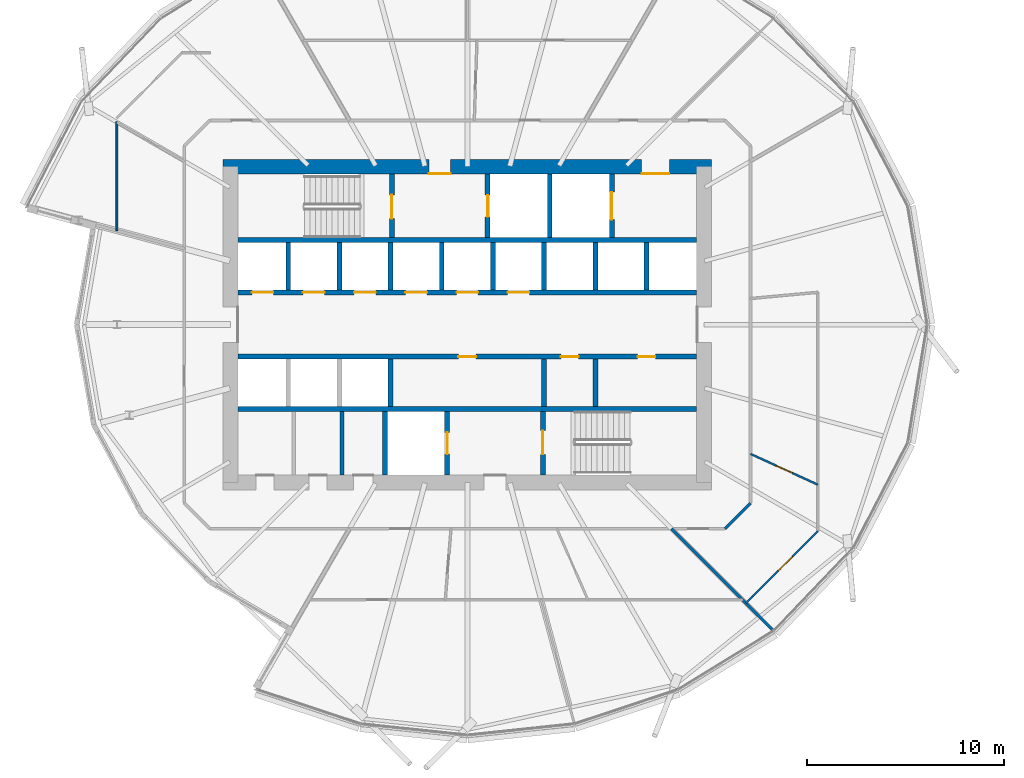
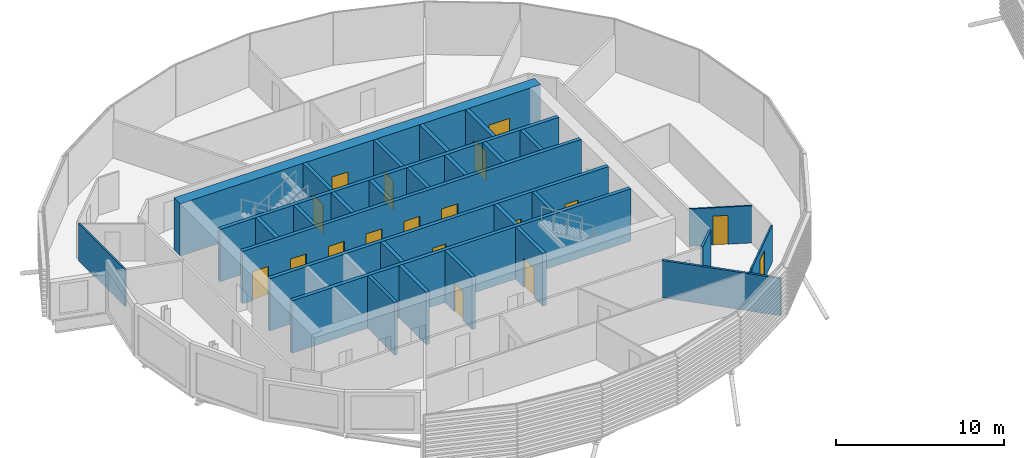
# One storey, part 22 of 39: 30 walls, 18 doors, 18 openings.
"""IFC4 building model written with IfcOpenShell, lengths in metres."""

from ifc_helpers import new_model, si_unit, direction, frame, frame_2d, origin, place, context, subcontext, project, spatial, rectangle, extrude, material, layer, layer_set, type_object, element, fill, save


model = new_model("IFC4")

# Units and contexts
model_context = context("Model", 3, precision=1e-05, world=origin(), true_north=direction((0.0, 1.0)))
body_context = subcontext(model_context, "Body", "Model", "MODEL_VIEW")
ifc_project = project(units=[si_unit("LENGTHUNIT", "METRE"), si_unit("AREAUNIT", "SQUARE_METRE"), si_unit("VOLUMEUNIT", "CUBIC_METRE"), si_unit("PLANEANGLEUNIT", "RADIAN"), si_unit("MASSUNIT", "GRAM", prefix="KILO")], contexts=[model_context])

# Site, building, storey
site_placement = place(None, origin())
site = spatial("IfcSite", under=ifc_project, at=site_placement, CompositionType="ELEMENT")
building_placement = place(site_placement, origin())
building = spatial("IfcBuilding", under=site, at=building_placement, Name="Rimbun Link Towers", CompositionType="ELEMENT")
storey_placement = place(building_placement, frame((0.0, 0.0, 112.0)))
storey = spatial("IfcBuildingStorey", under=building, at=storey_placement, Name="L27", CompositionType="ELEMENT", Elevation=112.0)

# Wall
ifc_material_1 = material(Name="Masonry blockwork", Category="masonry")
ifc_layer_1 = layer(ifc_material_1, 0.199951171875)
ifc_layer_set_1 = layer_set([ifc_layer_1], Name="Core partition 200")
wall_type_1 = type_object("IfcWallType", Name="Core partition 200", PredefinedType="PARTITIONING", material=ifc_layer_set_1)
wall_1_placement = place(storey_placement, frame((-38.10009765625, -4.39990234375, 0.0), z_axis=(0.0, 0.0, 1.0), x_axis=(0.0, -1.0, 0.0)))
element("IfcWall", 1, at=wall_1_placement, inside=storey, type_object=wall_type_1, Name="L27 T1 core wall C2", PredefinedType="PARTITIONING", context=body_context, shape_type="SweptSolid", body=[
    extrude(rectangle(XDim=3.22509765625, YDim=0.199951171875, at=frame_2d((1.612548828125, 0.0))), origin(), (0.0, 0.0, 1.0), 3.800048828125),
])

# Wall, openings, doors
ifc_material_2 = material(Name="Concrete C60/75", Category="concrete")
ifc_layer_2 = layer(ifc_material_2, 0.75)
ifc_layer_set_2 = layer_set([ifc_layer_2], Name="Core shear wall 750")
wall_type_2 = type_object("IfcWallType", Name="Core shear wall 750", PredefinedType="SHEAR", material=ifc_layer_set_2)
wall_2_placement = place(storey_placement, frame((-44.125, 8.0, 0.0), z_axis=(0.0, 0.0, 1.0), x_axis=(1.0, 0.0, 0.0)))
wall_2 = element("IfcWall", 2, at=wall_2_placement, inside=storey, type_object=wall_type_2, Name="L27 T1 core wall N", PredefinedType="SHEAR", context=body_context, shape_type="SweptSolid", body=[
    extrude(rectangle(XDim=24.75, YDim=0.75, at=frame_2d((12.375, 0.0))), origin(), (0.0, 0.0, 1.0), 3.800048828125),
])
opening_1_placement = place(wall_2_placement, frame((10.425048828125, 0.0, 0.0)))
opening_1 = element("IfcOpeningElement", 3, at=opening_1_placement, cuts=wall_2, Name="Opening C1DCF01N", PredefinedType="OPENING", context=body_context, shape_type="SweptSolid", body=[
    extrude(rectangle(XDim=1.10009765625, YDim=2.10009765625, at=frame_2d((0.550048828125, 1.050048828125))), frame((0.0, 0.385009765625, 0.0), z_axis=(0.0, -1.0, 0.0), x_axis=(1.0, 0.0, 0.0)), (0.0, 0.0, 1.0), 0.77001953125),
])
opening_2_placement = place(wall_2_placement, frame((21.21240234375, 0.0, 0.0)))
opening_2 = element("IfcOpeningElement", 4, at=opening_2_placement, cuts=wall_2, Name="Opening C1DSL02N", PredefinedType="OPENING", context=body_context, shape_type="SweptSolid", body=[
    extrude(rectangle(XDim=1.39990234375, YDim=2.10009765625, at=frame_2d((0.699951171875, 1.050048828125))), frame((0.0, 0.385009765625, 0.0), z_axis=(0.0, -1.0, 0.0), x_axis=(1.0, 0.0, 0.0)), (0.0, 0.0, 1.0), 0.77001953125),
])
ifc_material_3 = material(Name="Steel fire door set", Category="steel")
door_type_1 = type_object("IfcDoorType", Name="Core fire door single", OperationType="SINGLE_SWING_LEFT", PredefinedType="DOOR", material=ifc_material_3)
door_1_placement = place(opening_1_placement, origin())
door_1 = element("IfcDoor", 5, at=door_1_placement, inside=storey, type_object=door_type_1, Name="L27 T1 firefighting lobby n door", OperationType="SINGLE_SWING_LEFT", OverallHeight=2.10009765625, OverallWidth=1.10009765625, PredefinedType="DOOR", context=body_context, shape_type="SweptSolid", body=[
    extrude(rectangle(XDim=1.10009765625, YDim=2.10009765625, at=frame_2d((0.550048828125, 1.050048828125))), frame((0.0, -0.3251953125, 0.0), z_axis=(0.0, -1.0, 0.0), x_axis=(1.0, 0.0, 0.0)), (0.0, 0.0, 1.0), 0.050048828125),
])
fill(opening_1, door_1)
ifc_material_4 = material(Name="Steel fire door set", Category="steel")
door_type_2 = type_object("IfcDoorType", Name="Service lobby door double", OperationType="DOUBLE_DOOR_SINGLE_SWING", PredefinedType="DOOR", material=ifc_material_4)
door_2_placement = place(opening_2_placement, origin())
door_2 = element("IfcDoor", 6, at=door_2_placement, inside=storey, type_object=door_type_2, Name="L27 T1 service lobby door", OperationType="DOUBLE_DOOR_SINGLE_SWING", OverallHeight=2.10009765625, OverallWidth=1.39990234375, PredefinedType="DOOR", context=body_context, shape_type="SweptSolid", body=[
    extrude(rectangle(XDim=1.39990234375, YDim=2.10009765625, at=frame_2d((0.699951171875, 1.050048828125))), frame((0.0, -0.3251953125, 0.0), z_axis=(0.0, -1.0, 0.0), x_axis=(1.0, 0.0, 0.0)), (0.0, 0.0, 1.0), 0.050048828125),
])
fill(opening_2, door_2)

# Wall
ifc_material_5 = material(Name="Plasterboard on steel stud, mineral wool", Category="steel")
ifc_layer_3 = layer(ifc_material_5, 0.14990234375)
ifc_layer_set_3 = layer_set([ifc_layer_3], Name="Corridor wall EI 30 150 mm")
wall_type_3 = type_object("IfcWallType", Name="Corridor wall EI 30 150 mm", PredefinedType="PARTITIONING", material=ifc_layer_set_3)
wall_3_placement = place(storey_placement, frame((-18.6982421875, -10.35009765625, 0.0), z_axis=(0.0, 0.0, 1.0), x_axis=(0.707106781187, 0.707106781187, 0.0)))
element("IfcWall", 7, at=wall_3_placement, inside=storey, type_object=wall_type_3, Name="Corridor wall EI 30 150 mm", PredefinedType="PARTITIONING", context=body_context, shape_type="SweptSolid", body=[
    extrude(rectangle(XDim=1.836181640625, YDim=0.14990234375, at=frame_2d((0.91796875, 0.0))), origin(), (0.0, 0.0, 1.0), 2.701904296875),
])

# Wall, opening, door
ifc_material_6 = material(Name="Plasterboard on steel stud", Category="steel")
ifc_layer_4 = layer(ifc_material_6, 0.10009765625)
ifc_layer_set_4 = layer_set([ifc_layer_4], Name="Plasterboard partition 100 mm")
wall_type_4 = type_object("IfcWallType", Name="Plasterboard partition 100 mm", PredefinedType="PARTITIONING", material=ifc_layer_set_4)
wall_4_placement = place(storey_placement, frame((-17.39990234375, -6.555908203125, 0.0), z_axis=(0.0, 0.0, 1.0), x_axis=(0.909564245238, -0.415563333061, 0.0)))
wall_4 = element("IfcWall", 8, at=wall_4_placement, inside=storey, type_object=wall_type_4, Name="Plasterboard partition 100 mm", PredefinedType="PARTITIONING", context=body_context, shape_type="SweptSolid", body=[
    extrude(rectangle(XDim=3.760009765625, YDim=0.10009765625, at=frame_2d((1.8798828125, 0.0))), origin(), (0.0, 0.0, 1.0), 2.701904296875),
])
opening_3_placement = place(wall_4_placement, frame((1.429931640625, 0.0, 0.0)))
opening_3 = element("IfcOpeningElement", 9, at=opening_3_placement, cuts=wall_4, Name="Opening D04", PredefinedType="OPENING", context=body_context, shape_type="SweptSolid", body=[
    extrude(rectangle(XDim=0.89990234375, YDim=2.10009765625, at=frame_2d((0.449951171875, 1.050048828125))), frame((0.0, 0.06005859375, 0.0), z_axis=(0.0, -1.0, 0.0), x_axis=(1.0, 0.0, 0.0)), (0.0, 0.0, 1.0), 0.1201171875),
])
ifc_material_7 = material(Name="Timber door leaf", Category="wood")
door_type_3 = type_object("IfcDoorType", Name="Flush door 900", OperationType="NOTDEFINED", PredefinedType="DOOR", material=ifc_material_7)
door_3_placement = place(opening_3_placement, origin())
door_3 = element("IfcDoor", 10, at=door_3_placement, inside=storey, type_object=door_type_3, Name="Flush door 900 to Meeting room", OperationType="SINGLE_SWING_LEFT", OverallHeight=2.10009765625, OverallWidth=0.89990234375, PredefinedType="DOOR", context=body_context, shape_type="SweptSolid", body=[
    extrude(rectangle(XDim=0.89990234375, YDim=2.10009765625, at=frame_2d((0.449951171875, 1.050048828125))), frame((0.0, 0.02490234375, 0.0), z_axis=(0.0, -1.0, 0.0), x_axis=(1.0, 0.0, 0.0)), (0.0, 0.0, 1.0), 0.050048828125),
])
fill(opening_3, door_3)

wall_5_placement = place(storey_placement, frame((-13.97998046875, -10.46826171875, 0.0), z_axis=(0.0, 0.0, 1.0), x_axis=(-0.707106781187, -0.707106781187, 0.0)))
wall_5 = element("IfcWall", 11, at=wall_5_placement, inside=storey, type_object=wall_type_4, Name="Plasterboard partition 100 mm", PredefinedType="PARTITIONING", context=body_context, shape_type="SweptSolid", body=[
    extrude(rectangle(XDim=4.66943359375, YDim=0.10009765625, at=frame_2d((2.334716796875, 0.0))), origin(), (0.0, 0.0, 1.0), 2.701904296875),
])
opening_4_placement = place(wall_5_placement, frame((1.834716796875, 0.0, 0.0)))
opening_4 = element("IfcOpeningElement", 12, at=opening_4_placement, cuts=wall_5, Name="Opening D03", PredefinedType="OPENING", context=body_context, shape_type="SweptSolid", body=[
    extrude(rectangle(XDim=1.0, YDim=2.10009765625, at=frame_2d((0.5, 1.050048828125))), frame((0.0, 0.06005859375, 0.0), z_axis=(0.0, -1.0, 0.0), x_axis=(1.0, 0.0, 0.0)), (0.0, 0.0, 1.0), 0.1201171875),
])
ifc_material_8 = material(Name="Timber door leaf", Category="wood")
door_type_4 = type_object("IfcDoorType", Name="Flush door 1000", OperationType="NOTDEFINED", PredefinedType="DOOR", material=ifc_material_8)
door_4_placement = place(opening_4_placement, origin())
door_4 = element("IfcDoor", 13, at=door_4_placement, inside=storey, type_object=door_type_4, Name="Flush door 1000 to Open office", OperationType="SINGLE_SWING_RIGHT", OverallHeight=2.10009765625, OverallWidth=1.0, PredefinedType="DOOR", context=body_context, shape_type="SweptSolid", body=[
    extrude(rectangle(XDim=1.0, YDim=2.10009765625, at=frame_2d((0.5, 1.050048828125))), frame((0.0, 0.02490234375, 0.0), z_axis=(0.0, -1.0, 0.0), x_axis=(1.0, 0.0, 0.0)), (0.0, 0.0, 1.0), 0.050048828125),
])
fill(opening_4, door_4)

# Walls
wall_6_placement = place(storey_placement, frame((-17.630859375, -14.119140625, 0.0), z_axis=(0.0, 0.0, 1.0), x_axis=(0.707106781187, 0.707106781187, 0.0)))
element("IfcWall", 14, at=wall_6_placement, inside=storey, type_object=wall_type_4, Name="Plasterboard partition 100 mm", PredefinedType="PARTITIONING", context=body_context, shape_type="SweptSolid", body=[
    extrude(rectangle(XDim=0.49365234375, YDim=0.10009765625, at=frame_2d((0.246826171875, 0.0))), origin(), (0.0, 0.0, 1.0), 2.701904296875),
])
wall_7_placement = place(storey_placement, frame((-49.52001953125, 10.2705078125, 0.0), z_axis=(0.0, 0.0, 1.0), x_axis=(0.0, -1.0, 0.0)))
element("IfcWall", 15, at=wall_7_placement, inside=storey, type_object=wall_type_4, Name="Plasterboard partition 100 mm", PredefinedType="PARTITIONING", context=body_context, shape_type="SweptSolid", body=[
    extrude(rectangle(XDim=5.509033203125, YDim=0.10009765625, at=frame_2d((2.75439453125, 0.0))), origin(), (0.0, 0.0, 1.0), 2.701904296875),
])
ifc_material_9 = material(Name="Concrete C60/75", Category="concrete")
ifc_layer_5 = layer(ifc_material_9, 0.25)
ifc_layer_set_5 = layer_set([ifc_layer_5], Name="Shaft wall 250")
wall_type_5 = type_object("IfcWallType", Name="Shaft wall 250", PredefinedType="SHEAR", material=ifc_layer_set_5)
for number, where, z_axis, x_axis, name in (
    (16, (-43.375, 4.27490234375, 0.0), (0.0, 0.0, 1.0), (1.0, 0.0, 0.0), "L27 T1 core wall BN"),
    (17, (-43.375, -4.27490234375, 0.0), (0.0, 0.0, 1.0), (1.0, 0.0, 0.0), "L27 T1 core wall BS"),
):
    element("IfcWall", number, at=place(storey_placement, frame(where, z_axis=z_axis, x_axis=x_axis)), inside=storey, type_object=wall_type_5, Name=name, PredefinedType="SHEAR", context=body_context, shape_type="SweptSolid", body=[
        extrude(rectangle(XDim=23.25, YDim=0.25, at=frame_2d((11.625, 0.0))), origin(), (0.0, 0.0, 1.0), 3.800048828125),
    ])

# Wall, openings, doors
wall_8_placement = place(storey_placement, frame((-43.375, 1.625, 0.0), z_axis=(0.0, 0.0, 1.0), x_axis=(1.0, 0.0, 0.0)))
wall_8 = element("IfcWall", 18, at=wall_8_placement, inside=storey, type_object=wall_type_5, Name="L27 T1 core wall FN", PredefinedType="SHEAR", context=body_context, shape_type="SweptSolid", body=[
    extrude(rectangle(XDim=23.25, YDim=0.25, at=frame_2d((11.625, 0.0))), origin(), (0.0, 0.0, 1.0), 3.800048828125),
])
opening_5_placement = place(wall_8_placement, frame((0.697265625, 0.0, 0.0)))
opening_5 = element("IfcOpeningElement", 19, at=opening_5_placement, cuts=wall_8, Name="Opening LD-T1-LR1", PredefinedType="OPENING", context=body_context, shape_type="SweptSolid", body=[
    extrude(rectangle(XDim=1.10009765625, YDim=2.10009765625, at=frame_2d((0.550048828125, 1.050048828125))), frame((0.0, 0.135009765625, 0.0), z_axis=(0.0, -1.0, 0.0), x_axis=(1.0, 0.0, 0.0)), (0.0, 0.0, 1.0), 0.27001953125),
])
opening_6_placement = place(wall_8_placement, frame((3.291748046875, 0.0, 0.0)))
opening_6 = element("IfcOpeningElement", 20, at=opening_6_placement, cuts=wall_8, Name="Opening LD-T1-LR2", PredefinedType="OPENING", context=body_context, shape_type="SweptSolid", body=[
    extrude(rectangle(XDim=1.10009765625, YDim=2.10009765625, at=frame_2d((0.550048828125, 1.050048828125))), frame((0.0, 0.135009765625, 0.0), z_axis=(0.0, -1.0, 0.0), x_axis=(1.0, 0.0, 0.0)), (0.0, 0.0, 1.0), 0.27001953125),
])
opening_7_placement = place(wall_8_placement, frame((5.885986328125, 0.0, 0.0)))
opening_7 = element("IfcOpeningElement", 21, at=opening_7_placement, cuts=wall_8, Name="Opening LD-T1-LR3", PredefinedType="OPENING", context=body_context, shape_type="SweptSolid", body=[
    extrude(rectangle(XDim=1.10009765625, YDim=2.10009765625, at=frame_2d((0.550048828125, 1.050048828125))), frame((0.0, 0.135009765625, 0.0), z_axis=(0.0, -1.0, 0.0), x_axis=(1.0, 0.0, 0.0)), (0.0, 0.0, 1.0), 0.27001953125),
])
opening_8_placement = place(wall_8_placement, frame((8.480712890625, 0.0, 0.0)))
opening_8 = element("IfcOpeningElement", 22, at=opening_8_placement, cuts=wall_8, Name="Opening LD-T1-LR4", PredefinedType="OPENING", context=body_context, shape_type="SweptSolid", body=[
    extrude(rectangle(XDim=1.10009765625, YDim=2.10009765625, at=frame_2d((0.550048828125, 1.050048828125))), frame((0.0, 0.135009765625, 0.0), z_axis=(0.0, -1.0, 0.0), x_axis=(1.0, 0.0, 0.0)), (0.0, 0.0, 1.0), 0.27001953125),
])
opening_9_placement = place(wall_8_placement, frame((11.074951171875, 0.0, 0.0)))
opening_9 = element("IfcOpeningElement", 23, at=opening_9_placement, cuts=wall_8, Name="Opening LD-T1-LR5", PredefinedType="OPENING", context=body_context, shape_type="SweptSolid", body=[
    extrude(rectangle(XDim=1.10009765625, YDim=2.10009765625, at=frame_2d((0.550048828125, 1.050048828125))), frame((0.0, 0.135009765625, 0.0), z_axis=(0.0, -1.0, 0.0), x_axis=(1.0, 0.0, 0.0)), (0.0, 0.0, 1.0), 0.27001953125),
])
opening_10_placement = place(wall_8_placement, frame((13.66943359375, 0.0, 0.0)))
opening_10 = element("IfcOpeningElement", 24, at=opening_10_placement, cuts=wall_8, Name="Opening LD-T1-LR6", PredefinedType="OPENING", context=body_context, shape_type="SweptSolid", body=[
    extrude(rectangle(XDim=1.10009765625, YDim=2.10009765625, at=frame_2d((0.550048828125, 1.050048828125))), frame((0.0, 0.135009765625, 0.0), z_axis=(0.0, -1.0, 0.0), x_axis=(1.0, 0.0, 0.0)), (0.0, 0.0, 1.0), 0.27001953125),
])
ifc_material_10 = material(Name="Stainless steel grade 316", Category="steel")
door_type_5 = type_object("IfcDoorType", Name="Lift landing door", OperationType="DOUBLE_DOOR_SLIDING", PredefinedType="DOOR", material=ifc_material_10)
door_5_placement = place(opening_5_placement, origin())
door_5 = element("IfcDoor", 25, at=door_5_placement, inside=storey, type_object=door_type_5, Name="L27 T1 lift LR1 landing door", OperationType="DOUBLE_DOOR_SLIDING", OverallHeight=2.10009765625, OverallWidth=1.10009765625, PredefinedType="DOOR", context=body_context, shape_type="SweptSolid", body=[
    extrude(rectangle(XDim=1.10009765625, YDim=2.10009765625, at=frame_2d((0.550048828125, 1.050048828125))), frame((0.0, 0.02490234375, 0.0), z_axis=(0.0, -1.0, 0.0), x_axis=(1.0, 0.0, 0.0)), (0.0, 0.0, 1.0), 0.050048828125),
])
fill(opening_5, door_5)
door_6_placement = place(opening_6_placement, origin())
door_6 = element("IfcDoor", 26, at=door_6_placement, inside=storey, type_object=door_type_5, Name="L27 T1 lift LR2 landing door", OperationType="DOUBLE_DOOR_SLIDING", OverallHeight=2.10009765625, OverallWidth=1.10009765625, PredefinedType="DOOR", context=body_context, shape_type="SweptSolid", body=[
    extrude(rectangle(XDim=1.10009765625, YDim=2.10009765625, at=frame_2d((0.550048828125, 1.050048828125))), frame((0.0, 0.02490234375, 0.0), z_axis=(0.0, -1.0, 0.0), x_axis=(1.0, 0.0, 0.0)), (0.0, 0.0, 1.0), 0.050048828125),
])
fill(opening_6, door_6)
door_7_placement = place(opening_7_placement, origin())
door_7 = element("IfcDoor", 27, at=door_7_placement, inside=storey, type_object=door_type_5, Name="L27 T1 lift LR3 landing door", OperationType="DOUBLE_DOOR_SLIDING", OverallHeight=2.10009765625, OverallWidth=1.10009765625, PredefinedType="DOOR", context=body_context, shape_type="SweptSolid", body=[
    extrude(rectangle(XDim=1.10009765625, YDim=2.10009765625, at=frame_2d((0.550048828125, 1.050048828125))), frame((0.0, 0.02490234375, 0.0), z_axis=(0.0, -1.0, 0.0), x_axis=(1.0, 0.0, 0.0)), (0.0, 0.0, 1.0), 0.050048828125),
])
fill(opening_7, door_7)
door_8_placement = place(opening_8_placement, origin())
door_8 = element("IfcDoor", 28, at=door_8_placement, inside=storey, type_object=door_type_5, Name="L27 T1 lift LR4 landing door", OperationType="DOUBLE_DOOR_SLIDING", OverallHeight=2.10009765625, OverallWidth=1.10009765625, PredefinedType="DOOR", context=body_context, shape_type="SweptSolid", body=[
    extrude(rectangle(XDim=1.10009765625, YDim=2.10009765625, at=frame_2d((0.550048828125, 1.050048828125))), frame((0.0, 0.02490234375, 0.0), z_axis=(0.0, -1.0, 0.0), x_axis=(1.0, 0.0, 0.0)), (0.0, 0.0, 1.0), 0.050048828125),
])
fill(opening_8, door_8)
door_9_placement = place(opening_9_placement, origin())
door_9 = element("IfcDoor", 29, at=door_9_placement, inside=storey, type_object=door_type_5, Name="L27 T1 lift LR5 landing door", OperationType="DOUBLE_DOOR_SLIDING", OverallHeight=2.10009765625, OverallWidth=1.10009765625, PredefinedType="DOOR", context=body_context, shape_type="SweptSolid", body=[
    extrude(rectangle(XDim=1.10009765625, YDim=2.10009765625, at=frame_2d((0.550048828125, 1.050048828125))), frame((0.0, 0.02490234375, 0.0), z_axis=(0.0, -1.0, 0.0), x_axis=(1.0, 0.0, 0.0)), (0.0, 0.0, 1.0), 0.050048828125),
])
fill(opening_9, door_9)
door_10_placement = place(opening_10_placement, origin())
door_10 = element("IfcDoor", 30, at=door_10_placement, inside=storey, type_object=door_type_5, Name="L27 T1 lift LR6 landing door", OperationType="DOUBLE_DOOR_SLIDING", OverallHeight=2.10009765625, OverallWidth=1.10009765625, PredefinedType="DOOR", context=body_context, shape_type="SweptSolid", body=[
    extrude(rectangle(XDim=1.10009765625, YDim=2.10009765625, at=frame_2d((0.550048828125, 1.050048828125))), frame((0.0, 0.02490234375, 0.0), z_axis=(0.0, -1.0, 0.0), x_axis=(1.0, 0.0, 0.0)), (0.0, 0.0, 1.0), 0.050048828125),
])
fill(opening_10, door_10)

wall_9_placement = place(storey_placement, frame((-43.375, -1.625, 0.0), z_axis=(0.0, 0.0, 1.0), x_axis=(1.0, 0.0, 0.0)))
wall_9 = element("IfcWall", 31, at=wall_9_placement, inside=storey, type_object=wall_type_5, Name="L27 T1 core wall FS", PredefinedType="SHEAR", context=body_context, shape_type="SweptSolid", body=[
    extrude(rectangle(XDim=23.25, YDim=0.25, at=frame_2d((11.625, 0.0))), origin(), (0.0, 0.0, 1.0), 3.800048828125),
])
opening_11_placement = place(wall_9_placement, frame((11.175048828125, 0.0, 0.0)))
opening_11 = element("IfcOpeningElement", 32, at=opening_11_placement, cuts=wall_9, Name="Opening C1DRS01FS", PredefinedType="OPENING", context=body_context, shape_type="SweptSolid", body=[
    extrude(rectangle(XDim=0.89990234375, YDim=2.10009765625, at=frame_2d((0.449951171875, 1.050048828125))), frame((0.0, 0.135009765625, 0.0), z_axis=(0.0, -1.0, 0.0), x_axis=(1.0, 0.0, 0.0)), (0.0, 0.0, 1.0), 0.27001953125),
])
opening_12_placement = place(wall_9_placement, frame((16.364013671875, 0.0, 0.0)))
opening_12 = element("IfcOpeningElement", 33, at=opening_12_placement, cuts=wall_9, Name="Opening C1DRS02FS", PredefinedType="OPENING", context=body_context, shape_type="SweptSolid", body=[
    extrude(rectangle(XDim=0.89990234375, YDim=2.10009765625, at=frame_2d((0.449951171875, 1.050048828125))), frame((0.0, 0.135009765625, 0.0), z_axis=(0.0, -1.0, 0.0), x_axis=(1.0, 0.0, 0.0)), (0.0, 0.0, 1.0), 0.27001953125),
])
opening_13_placement = place(wall_9_placement, frame((20.255615234375, 0.0, 0.0)))
opening_13 = element("IfcOpeningElement", 34, at=opening_13_placement, cuts=wall_9, Name="Opening C1DRS03FS", PredefinedType="OPENING", context=body_context, shape_type="SweptSolid", body=[
    extrude(rectangle(XDim=0.89990234375, YDim=2.10009765625, at=frame_2d((0.449951171875, 1.050048828125))), frame((0.0, 0.135009765625, 0.0), z_axis=(0.0, -1.0, 0.0), x_axis=(1.0, 0.0, 0.0)), (0.0, 0.0, 1.0), 0.27001953125),
])
ifc_material_11 = material(Name="Steel fire door set", Category="steel")
door_type_6 = type_object("IfcDoorType", Name="Core riser door", OperationType="SINGLE_SWING_LEFT", PredefinedType="DOOR", material=ifc_material_11)
door_11_placement = place(opening_11_placement, origin())
door_11 = element("IfcDoor", 35, at=door_11_placement, inside=storey, type_object=door_type_6, Name="L27 T1 records store door", OperationType="SINGLE_SWING_LEFT", OverallHeight=2.10009765625, OverallWidth=0.89990234375, PredefinedType="DOOR", context=body_context, shape_type="SweptSolid", body=[
    extrude(rectangle(XDim=0.89990234375, YDim=2.10009765625, at=frame_2d((0.449951171875, 1.050048828125))), frame((0.0, 0.02490234375, 0.0), z_axis=(0.0, -1.0, 0.0), x_axis=(1.0, 0.0, 0.0)), (0.0, 0.0, 1.0), 0.050048828125),
])
fill(opening_11, door_11)
door_12_placement = place(opening_12_placement, origin())
door_12 = element("IfcDoor", 36, at=door_12_placement, inside=storey, type_object=door_type_6, Name="L27 T1 cleaner store door", OperationType="SINGLE_SWING_LEFT", OverallHeight=2.10009765625, OverallWidth=0.89990234375, PredefinedType="DOOR", context=body_context, shape_type="SweptSolid", body=[
    extrude(rectangle(XDim=0.89990234375, YDim=2.10009765625, at=frame_2d((0.449951171875, 1.050048828125))), frame((0.0, 0.02490234375, 0.0), z_axis=(0.0, -1.0, 0.0), x_axis=(1.0, 0.0, 0.0)), (0.0, 0.0, 1.0), 0.050048828125),
])
fill(opening_12, door_12)
door_13_placement = place(opening_13_placement, origin())
door_13 = element("IfcDoor", 37, at=door_13_placement, inside=storey, type_object=door_type_6, Name="L27 T1 staff lounge door", OperationType="SINGLE_SWING_RIGHT", OverallHeight=2.10009765625, OverallWidth=0.89990234375, PredefinedType="DOOR", context=body_context, shape_type="SweptSolid", body=[
    extrude(rectangle(XDim=0.89990234375, YDim=2.10009765625, at=frame_2d((0.449951171875, 1.050048828125))), frame((0.0, 0.02490234375, 0.0), z_axis=(0.0, -1.0, 0.0), x_axis=(1.0, 0.0, 0.0)), (0.0, 0.0, 1.0), 0.050048828125),
])
fill(opening_13, door_13)

# Walls
for number, where, z_axis, x_axis, name in (
    (38, (-40.83056640625, 1.75, 0.0), (0.0, 0.0, 1.0), (0.0, 1.0, 0.0), "L27 T1 core wall DN0"),
    (39, (-38.236083984375, 1.75, 0.0), (0.0, 0.0, 1.0), (0.0, 1.0, 0.0), "L27 T1 core wall DN1"),
    (40, (-35.6416015625, 1.75, 0.0), (0.0, 0.0, 1.0), (0.0, 1.0, 0.0), "L27 T1 core wall DN2"),
    (41, (-33.047119140625, 1.75, 0.0), (0.0, 0.0, 1.0), (0.0, 1.0, 0.0), "L27 T1 core wall DN3"),
    (42, (-30.452880859375, 1.75, 0.0), (0.0, 0.0, 1.0), (0.0, 1.0, 0.0), "L27 T1 core wall DN4"),
    (43, (-27.8583984375, 1.75, 0.0), (0.0, 0.0, 1.0), (0.0, 1.0, 0.0), "L27 T1 core wall DN5"),
    (44, (-25.263916015625, 1.75, 0.0), (0.0, 0.0, 1.0), (0.0, 1.0, 0.0), "L27 T1 core wall DN6"),
    (45, (-22.66943359375, 1.75, 0.0), (0.0, 0.0, 1.0), (0.0, 1.0, 0.0), "L27 T1 core wall DN7"),
    (46, (-35.6416015625, -4.14990234375, 0.0), (0.0, 0.0, 1.0), (0.0, 1.0, 0.0), "L27 T1 core wall DS2"),
    (47, (-27.8583984375, -4.14990234375, 0.0), (0.0, 0.0, 1.0), (0.0, 1.0, 0.0), "L27 T1 core wall DS5"),
    (48, (-25.263916015625, -4.14990234375, 0.0), (0.0, 0.0, 1.0), (0.0, 1.0, 0.0), "L27 T1 core wall DS6"),
):
    element("IfcWall", number, at=place(storey_placement, frame(where, z_axis=z_axis, x_axis=x_axis)), inside=storey, type_object=wall_type_5, Name=name, PredefinedType="SHEAR", context=body_context, shape_type="SweptSolid", body=[
        extrude(rectangle(XDim=2.39990234375, YDim=0.25, at=frame_2d((1.199951171875, 0.0))), origin(), (0.0, 0.0, 1.0), 3.800048828125),
    ])

# Wall, opening, door
wall_10_placement = place(storey_placement, frame((-35.574951171875, 4.39990234375, 0.0), z_axis=(0.0, 0.0, 1.0), x_axis=(0.0, 1.0, 0.0)))
wall_10 = element("IfcWall", 49, at=wall_10_placement, inside=storey, type_object=wall_type_5, Name="L27 T1 core wall A1", PredefinedType="SHEAR", context=body_context, shape_type="SweptSolid", body=[
    extrude(rectangle(XDim=3.22509765625, YDim=0.25, at=frame_2d((1.612548828125, 0.0))), origin(), (0.0, 0.0, 1.0), 3.800048828125),
])
opening_14_placement = place(wall_10_placement, frame((0.97509765625, 0.0, 0.0)))
opening_14 = element("IfcOpeningElement", 50, at=opening_14_placement, cuts=wall_10, Name="Opening C1DST01A1", PredefinedType="OPENING", context=body_context, shape_type="SweptSolid", body=[
    extrude(rectangle(XDim=1.199951171875, YDim=2.10009765625, at=frame_2d((0.60009765625, 1.050048828125))), frame((0.0, 0.135009765625, 0.0), z_axis=(0.0, -1.0, 0.0), x_axis=(1.0, 0.0, 0.0)), (0.0, 0.0, 1.0), 0.27001953125),
])
ifc_material_12 = material(Name="Steel fire door set", Category="steel")
door_type_7 = type_object("IfcDoorType", Name="Stair door", OperationType="SINGLE_SWING_LEFT", PredefinedType="DOOR", material=ifc_material_12)
door_14_placement = place(opening_14_placement, origin())
door_14 = element("IfcDoor", 51, at=door_14_placement, inside=storey, type_object=door_type_7, Name="L27 T1 stair a door", OperationType="SINGLE_SWING_RIGHT", OverallHeight=2.10009765625, OverallWidth=1.199951171875, PredefinedType="DOOR", context=body_context, shape_type="SweptSolid", body=[
    extrude(rectangle(XDim=1.199951171875, YDim=2.10009765625, at=frame_2d((0.60009765625, 1.050048828125))), frame((0.0, 0.02490234375, 0.0), z_axis=(0.0, -1.0, 0.0), x_axis=(1.0, 0.0, 0.0)), (0.0, 0.0, 1.0), 0.050048828125),
])
fill(opening_14, door_14)

wall_11_placement = place(storey_placement, frame((-30.72509765625, 4.39990234375, 0.0), z_axis=(0.0, 0.0, 1.0), x_axis=(0.0, 1.0, 0.0)))
wall_11 = element("IfcWall", 52, at=wall_11_placement, inside=storey, type_object=wall_type_5, Name="L27 T1 core wall A2", PredefinedType="SHEAR", context=body_context, shape_type="SweptSolid", body=[
    extrude(rectangle(XDim=3.22509765625, YDim=0.25, at=frame_2d((1.612548828125, 0.0))), origin(), (0.0, 0.0, 1.0), 3.800048828125),
])
opening_15_placement = place(wall_11_placement, frame((1.0625, 0.0, 0.0)))
opening_15 = element("IfcOpeningElement", 53, at=opening_15_placement, cuts=wall_11, Name="Opening LD-T1-FF1", PredefinedType="OPENING", context=body_context, shape_type="SweptSolid", body=[
    extrude(rectangle(XDim=1.10009765625, YDim=2.10009765625, at=frame_2d((0.550048828125, 1.050048828125))), frame((0.0, 0.135009765625, 0.0), z_axis=(0.0, -1.0, 0.0), x_axis=(1.0, 0.0, 0.0)), (0.0, 0.0, 1.0), 0.27001953125),
])
door_15_placement = place(opening_15_placement, origin())
door_15 = element("IfcDoor", 54, at=door_15_placement, inside=storey, type_object=door_type_5, Name="L27 T1 lift FF1 landing door", OperationType="DOUBLE_DOOR_SLIDING", OverallHeight=2.10009765625, OverallWidth=1.10009765625, PredefinedType="DOOR", context=body_context, shape_type="SweptSolid", body=[
    extrude(rectangle(XDim=1.10009765625, YDim=2.10009765625, at=frame_2d((0.550048828125, 1.050048828125))), frame((0.0, 0.02490234375, 0.0), z_axis=(0.0, -1.0, 0.0), x_axis=(1.0, 0.0, 0.0)), (0.0, 0.0, 1.0), 0.050048828125),
])
fill(opening_15, door_15)

# Wall
wall_12_placement = place(storey_placement, frame((-27.574951171875, 4.39990234375, 0.0), z_axis=(0.0, 0.0, 1.0), x_axis=(0.0, 1.0, 0.0)))
element("IfcWall", 55, at=wall_12_placement, inside=storey, type_object=wall_type_5, Name="L27 T1 core wall A3", PredefinedType="SHEAR", context=body_context, shape_type="SweptSolid", body=[
    extrude(rectangle(XDim=3.22509765625, YDim=0.25, at=frame_2d((1.612548828125, 0.0))), origin(), (0.0, 0.0, 1.0), 3.800048828125),
])

# Wall, opening, door
wall_13_placement = place(storey_placement, frame((-24.425048828125, 4.39990234375, 0.0), z_axis=(0.0, 0.0, 1.0), x_axis=(0.0, 1.0, 0.0)))
wall_13 = element("IfcWall", 56, at=wall_13_placement, inside=storey, type_object=wall_type_5, Name="L27 T1 core wall A4", PredefinedType="SHEAR", context=body_context, shape_type="SweptSolid", body=[
    extrude(rectangle(XDim=3.22509765625, YDim=0.25, at=frame_2d((1.612548828125, 0.0))), origin(), (0.0, 0.0, 1.0), 3.800048828125),
])
opening_16_placement = place(wall_13_placement, frame((0.91259765625, 0.0, 0.0)))
opening_16 = element("IfcOpeningElement", 57, at=opening_16_placement, cuts=wall_13, Name="Opening LD-T1-GL1", PredefinedType="OPENING", context=body_context, shape_type="SweptSolid", body=[
    extrude(rectangle(XDim=1.39990234375, YDim=2.10009765625, at=frame_2d((0.699951171875, 1.050048828125))), frame((0.0, 0.135009765625, 0.0), z_axis=(0.0, -1.0, 0.0), x_axis=(1.0, 0.0, 0.0)), (0.0, 0.0, 1.0), 0.27001953125),
])
ifc_material_13 = material(Name="Stainless steel grade 316", Category="steel")
door_type_8 = type_object("IfcDoorType", Name="Goods lift landing door", OperationType="DOUBLE_DOOR_SLIDING", PredefinedType="DOOR", material=ifc_material_13)
door_16_placement = place(opening_16_placement, origin())
door_16 = element("IfcDoor", 58, at=door_16_placement, inside=storey, type_object=door_type_8, Name="L27 T1 lift GL1 landing door", OperationType="DOUBLE_DOOR_SLIDING", OverallHeight=2.10009765625, OverallWidth=1.39990234375, PredefinedType="DOOR", context=body_context, shape_type="SweptSolid", body=[
    extrude(rectangle(XDim=1.39990234375, YDim=2.10009765625, at=frame_2d((0.699951171875, 1.050048828125))), frame((0.0, 0.02490234375, 0.0), z_axis=(0.0, -1.0, 0.0), x_axis=(1.0, 0.0, 0.0)), (0.0, 0.0, 1.0), 0.050048828125),
])
fill(opening_16, door_16)

wall_14_placement = place(storey_placement, frame((-27.925048828125, -4.39990234375, 0.0), z_axis=(0.0, 0.0, 1.0), x_axis=(0.0, -1.0, 0.0)))
wall_14 = element("IfcWall", 59, at=wall_14_placement, inside=storey, type_object=wall_type_5, Name="L27 T1 core wall B1", PredefinedType="SHEAR", context=body_context, shape_type="SweptSolid", body=[
    extrude(rectangle(XDim=3.22509765625, YDim=0.25, at=frame_2d((1.612548828125, 0.0))), origin(), (0.0, 0.0, 1.0), 3.800048828125),
])
opening_17_placement = place(wall_14_placement, frame((0.97509765625, 0.0, 0.0)))
opening_17 = element("IfcOpeningElement", 60, at=opening_17_placement, cuts=wall_14, Name="Opening C1DST01B1", PredefinedType="OPENING", context=body_context, shape_type="SweptSolid", body=[
    extrude(rectangle(XDim=1.199951171875, YDim=2.10009765625, at=frame_2d((0.60009765625, 1.050048828125))), frame((0.0, 0.135009765625, 0.0), z_axis=(0.0, -1.0, 0.0), x_axis=(1.0, 0.0, 0.0)), (0.0, 0.0, 1.0), 0.27001953125),
])
door_17_placement = place(opening_17_placement, origin())
door_17 = element("IfcDoor", 61, at=door_17_placement, inside=storey, type_object=door_type_7, Name="L27 T1 stair b door", OperationType="SINGLE_SWING_RIGHT", OverallHeight=2.10009765625, OverallWidth=1.199951171875, PredefinedType="DOOR", context=body_context, shape_type="SweptSolid", body=[
    extrude(rectangle(XDim=1.199951171875, YDim=2.10009765625, at=frame_2d((0.60009765625, 1.050048828125))), frame((0.0, 0.02490234375, 0.0), z_axis=(0.0, -1.0, 0.0), x_axis=(1.0, 0.0, 0.0)), (0.0, 0.0, 1.0), 0.050048828125),
])
fill(opening_17, door_17)

wall_15_placement = place(storey_placement, frame((-32.77490234375, -4.39990234375, 0.0), z_axis=(0.0, 0.0, 1.0), x_axis=(0.0, -1.0, 0.0)))
wall_15 = element("IfcWall", 62, at=wall_15_placement, inside=storey, type_object=wall_type_5, Name="L27 T1 core wall B2", PredefinedType="SHEAR", context=body_context, shape_type="SweptSolid", body=[
    extrude(rectangle(XDim=3.22509765625, YDim=0.25, at=frame_2d((1.612548828125, 0.0))), origin(), (0.0, 0.0, 1.0), 3.800048828125),
])
opening_18_placement = place(wall_15_placement, frame((1.0625, 0.0, 0.0)))
opening_18 = element("IfcOpeningElement", 63, at=opening_18_placement, cuts=wall_15, Name="Opening LD-T1-FF2", PredefinedType="OPENING", context=body_context, shape_type="SweptSolid", body=[
    extrude(rectangle(XDim=1.10009765625, YDim=2.10009765625, at=frame_2d((0.550048828125, 1.050048828125))), frame((0.0, 0.135009765625, 0.0), z_axis=(0.0, -1.0, 0.0), x_axis=(1.0, 0.0, 0.0)), (0.0, 0.0, 1.0), 0.27001953125),
])
door_18_placement = place(opening_18_placement, origin())
door_18 = element("IfcDoor", 64, at=door_18_placement, inside=storey, type_object=door_type_5, Name="L27 T1 lift FF2 landing door", OperationType="DOUBLE_DOOR_SLIDING", OverallHeight=2.10009765625, OverallWidth=1.10009765625, PredefinedType="DOOR", context=body_context, shape_type="SweptSolid", body=[
    extrude(rectangle(XDim=1.10009765625, YDim=2.10009765625, at=frame_2d((0.550048828125, 1.050048828125))), frame((0.0, 0.02490234375, 0.0), z_axis=(0.0, -1.0, 0.0), x_axis=(1.0, 0.0, 0.0)), (0.0, 0.0, 1.0), 0.050048828125),
])
fill(opening_18, door_18)

# Walls
wall_16_placement = place(storey_placement, frame((-35.925048828125, -4.39990234375, 0.0), z_axis=(0.0, 0.0, 1.0), x_axis=(0.0, -1.0, 0.0)))
element("IfcWall", 65, at=wall_16_placement, inside=storey, type_object=wall_type_5, Name="L27 T1 core wall B3", PredefinedType="SHEAR", context=body_context, shape_type="SweptSolid", body=[
    extrude(rectangle(XDim=3.22509765625, YDim=0.25, at=frame_2d((1.612548828125, 0.0))), origin(), (0.0, 0.0, 1.0), 3.800048828125),
])
ifc_material_14 = material(Name="Plasterboard on steel stud, mineral wool", Category="steel")
ifc_layer_6 = layer(ifc_material_14, 0.14990234375)
ifc_layer_set_6 = layer_set([ifc_layer_6], Name="Tenancy separation wall EI 60 150 mm")
wall_type_6 = type_object("IfcWallType", Name="Tenancy separation wall EI 60 150 mm", PredefinedType="PARTITIONING", material=ifc_layer_set_6)
wall_17_placement = place(storey_placement, frame((-21.39990234375, -10.35009765625, 0.0), z_axis=(0.0, 0.0, 1.0), x_axis=(0.707106781187, -0.707106781187, 0.0)))
element("IfcWall", 66, at=wall_17_placement, inside=storey, type_object=wall_type_6, Name="Tenancy separation wall EI 60 150 mm", PredefinedType="PARTITIONING", context=body_context, shape_type="SweptSolid", body=[
    extrude(rectangle(XDim=7.29248046875, YDim=0.14990234375, at=frame_2d((3.646240234375, 0.0))), origin(), (0.0, 0.0, 1.0), 2.701904296875),
])

save(model, "model.ifc")
